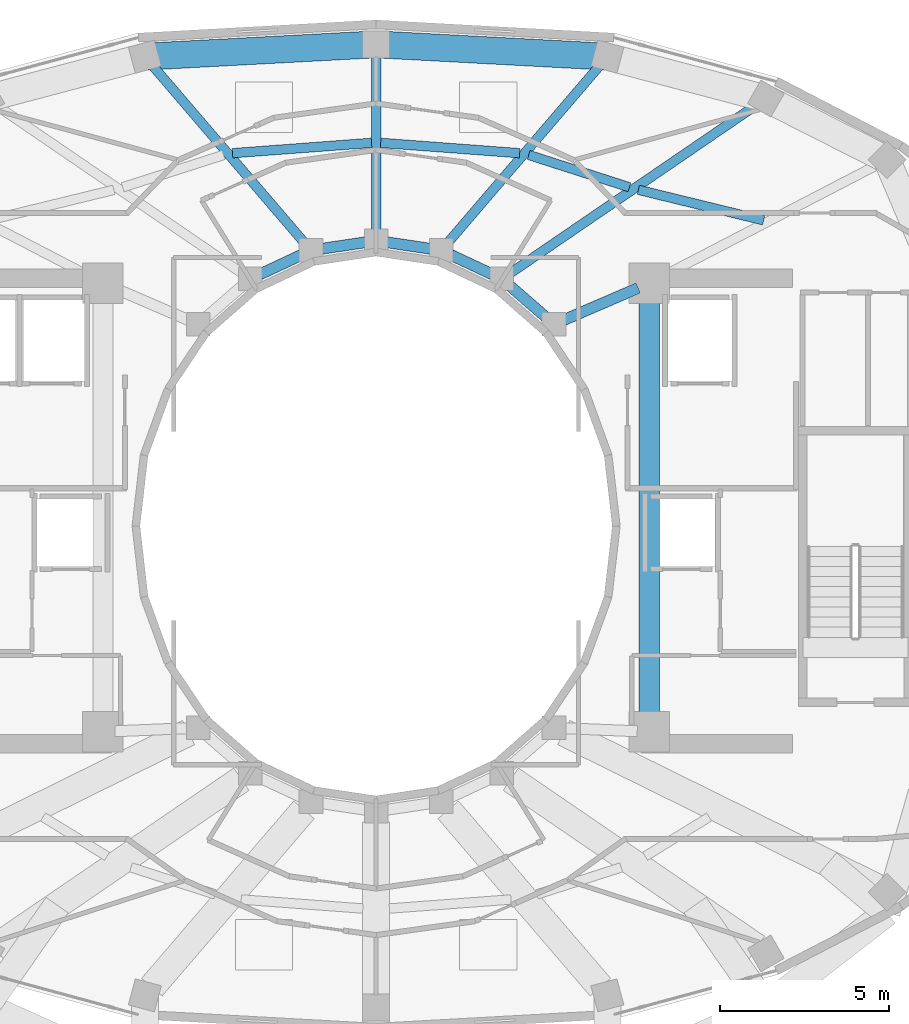
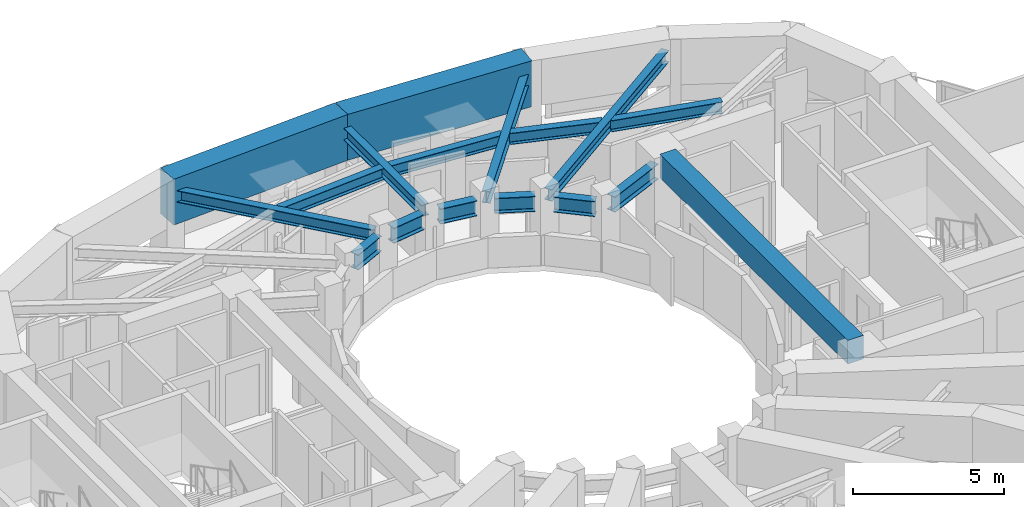
# One storey, part 7 of 19: 17 beams.
"""IFC4 building model written with IfcOpenShell, lengths in metres."""

from ifc_helpers import new_model, si_unit, direction, frame, origin, origin_2d, place, context, subcontext, project, spatial, rectangle, i_section, extrude, material, material_profile, profile_set, type_object, element, save


model = new_model("IFC4")

# Units and contexts
model_context = context("Model", 3, precision=1e-05, world=origin(), true_north=direction((0.0, 1.0)))
body_context = subcontext(model_context, "Body", "Model", "MODEL_VIEW")
ifc_project = project(units=[si_unit("LENGTHUNIT", "METRE"), si_unit("AREAUNIT", "SQUARE_METRE"), si_unit("VOLUMEUNIT", "CUBIC_METRE"), si_unit("PLANEANGLEUNIT", "RADIAN"), si_unit("MASSUNIT", "GRAM", prefix="KILO")], contexts=[model_context])

# Site, building, storey
site_placement = place(None, origin())
site = spatial("IfcSite", under=ifc_project, at=site_placement, CompositionType="ELEMENT")
building_placement = place(site_placement, origin())
building = spatial("IfcBuilding", under=site, at=building_placement, Name="Solvane Sanctuary Tower", CompositionType="ELEMENT")
storey_placement = place(building_placement, frame((0.0, 0.0, 207.800048828125)))
storey = spatial("IfcBuildingStorey", under=building, at=storey_placement, Name="L63", CompositionType="ELEMENT", Elevation=207.800048828125)

# Beams
ifc_material_1 = material(Name="Concrete C70/85", Category="concrete")
ifc_material_profile_1 = material_profile(ifc_material_1, rectangle(XDim=0.60009765625, YDim=0.949951171875, at=origin_2d()), Name="RC600X950")
ifc_profile_set_1 = profile_set([ifc_material_profile_1], Name="Concrete C70/85")
beam_type_1 = type_object("IfcBeamType", Name="Beam B-COUPLE RC600X950", PredefinedType="LINTEL", material=ifc_profile_set_1)
beam_1_placement = place(storey_placement, frame((40.10009765625, 17.35009765625, 2.625), z_axis=(0.0, 1.0, 0.0), x_axis=(-1.0, 0.0, 0.0)))
element("IfcBeam", 1, at=beam_1_placement, inside=storey, type_object=beam_type_1, Name="L63 East Core Coupling Lintel", PredefinedType="LINTEL", context=body_context, shape_type="SweptSolid", body=[
    extrude(rectangle(XDim=0.60009765625, YDim=0.949951171875, at=origin_2d()), origin(), (0.0, 0.0, 1.0), 12.39990234375),
])
ifc_material_2 = material(Name="Steel ASTM A992 Grade 50", Category="steel")
ifc_material_profile_2 = material_profile(ifc_material_2, i_section(OverallWidth=0.282958984375, OverallDepth=0.471923828125, WebThickness=0.013671875, FlangeThickness=0.022216796875, FilletRadius=0.013916015625, at=origin_2d()), Name="W18X97")
ifc_profile_set_2 = profile_set([ifc_material_profile_2], Name="Steel ASTM A992 Grade 50")
beam_type_2 = type_object("IfcBeamType", Name="Beam B-RAD-Z4 W18X97", PredefinedType="JOIST", material=ifc_profile_set_2)
beam_2_placement = place(storey_placement, frame((35.961181640625, 30.484619140625, 2.362060546875), z_axis=(0.825707980649, 0.564097802418, 0.0), x_axis=(-0.564097802418, 0.825707980649, 0.0)))
element("IfcBeam", 2, at=beam_2_placement, inside=storey, type_object=beam_type_2, Name="L63 Radial Composite Floor Beam 02", PredefinedType="JOIST", context=body_context, shape_type="SweptSolid", body=[
    extrude(i_section(OverallWidth=0.282958984375, OverallDepth=0.471923828125, WebThickness=0.013671875, FlangeThickness=0.022216796875, FilletRadius=0.013916015625, at=origin_2d()), origin(), (0.0, 0.0, 1.0), 8.9169921875),
])
beam_3_placement = place(storey_placement, frame((34.113037109375, 31.38427734375, 2.362060546875), z_axis=(0.651023809724, 0.759057309544, 0.0), x_axis=(-0.759057309544, 0.651023809724, 0.0)))
element("IfcBeam", 3, at=beam_3_placement, inside=storey, type_object=beam_type_2, Name="L63 Radial Composite Floor Beam 03", PredefinedType="JOIST", context=body_context, shape_type="SweptSolid", body=[
    extrude(i_section(OverallWidth=0.282958984375, OverallDepth=0.471923828125, WebThickness=0.013671875, FlangeThickness=0.022216796875, FilletRadius=0.013916015625, at=origin_2d()), origin(), (0.0, 0.0, 1.0), 7.005615234375),
])
beam_4_placement = place(storey_placement, frame((32.0, 31.739990234375, 2.362060546875), z_axis=(0.0, 1.0, 0.0), x_axis=(-1.0, 0.0, 0.0)))
element("IfcBeam", 4, at=beam_4_placement, inside=storey, type_object=beam_type_2, Name="L63 Radial Composite Floor Beam 04", PredefinedType="JOIST", context=body_context, shape_type="SweptSolid", body=[
    extrude(i_section(OverallWidth=0.282958984375, OverallDepth=0.471923828125, WebThickness=0.013671875, FlangeThickness=0.022216796875, FilletRadius=0.013916015625, at=origin_2d()), origin(), (0.0, 0.0, 1.0), 5.260009765625),
])
beam_5_placement = place(storey_placement, frame((29.886962890625, 31.38427734375, 2.362060546875), z_axis=(-0.651023809724, 0.759057309544, 0.0), x_axis=(-0.759057309544, -0.651023809724, 0.0)))
element("IfcBeam", 5, at=beam_5_placement, inside=storey, type_object=beam_type_2, Name="L63 Radial Composite Floor Beam 05", PredefinedType="JOIST", context=body_context, shape_type="SweptSolid", body=[
    extrude(i_section(OverallWidth=0.282958984375, OverallDepth=0.471923828125, WebThickness=0.013671875, FlangeThickness=0.022216796875, FilletRadius=0.013916015625, at=origin_2d()), origin(), (0.0, 0.0, 1.0), 7.005615234375),
])
ifc_material_profile_3 = material_profile(ifc_material_2, i_section(OverallWidth=0.324951171875, OverallDepth=0.615966796875, WebThickness=0.013916015625, FlangeThickness=0.021484375, FilletRadius=0.01611328125, at=origin_2d()), Name="W24X117")
ifc_profile_set_3 = profile_set([ifc_material_profile_3], Name="Steel ASTM A992 Grade 50")
beam_type_3 = type_object("IfcBeamType", Name="Beam B-RING-IN2 W24X117", PredefinedType="BEAM", material=ifc_profile_set_3)
beam_6_placement = place(storey_placement, frame((28.5595703125, 30.462646484375, 2.2900390625), z_axis=(0.905134542189, 0.425125229241, 0.0), x_axis=(-0.425125229241, 0.905134542189, 0.0)))
element("IfcBeam", 6, at=beam_6_placement, inside=storey, type_object=beam_type_3, Name="L63 Inner Light-Well Ring Beam IC06-IC05", PredefinedType="BEAM", context=body_context, shape_type="SweptSolid", body=[
    extrude(i_section(OverallWidth=0.324951171875, OverallDepth=0.615966796875, WebThickness=0.013916015625, FlangeThickness=0.021484375, FilletRadius=0.01611328125, at=origin_2d()), origin(), (0.0, 0.0, 1.0), 1.347900390625),
])
for number, where, z_axis, x_axis, name in (
    (7, (30.3857421875, 31.218994140625, 2.2900390625), (0.989056121481, 0.147539786368, 0.0), (-0.147539786368, 0.989056121481, 0.0), "L63 Inner Light-Well Ring Beam IC05-IC04"),
    (8, (32.31640625, 31.41259765625, 2.2900390625), (0.989056121481, -0.147539786368, 0.0), (0.147539786368, 0.989056121481, 0.0), "L63 Inner Light-Well Ring Beam IC04-IC03"),
):
    element("IfcBeam", number, at=place(storey_placement, frame(where, z_axis=z_axis, x_axis=x_axis)), inside=storey, type_object=beam_type_3, Name=name, PredefinedType="BEAM", context=body_context, shape_type="SweptSolid", body=[
        extrude(i_section(OverallWidth=0.324951171875, OverallDepth=0.615966796875, WebThickness=0.013916015625, FlangeThickness=0.021484375, FilletRadius=0.01611328125, at=origin_2d()), origin(), (0.0, 0.0, 1.0), 1.312255859375),
    ])
beam_7_placement = place(storey_placement, frame((34.220458984375, 31.03564453125, 2.2900390625), z_axis=(0.905134542189, -0.425125229241, 0.0), x_axis=(0.425125229241, 0.905134542189, 0.0)))
element("IfcBeam", 9, at=beam_7_placement, inside=storey, type_object=beam_type_3, Name="L63 Inner Light-Well Ring Beam IC03-IC02", PredefinedType="BEAM", context=body_context, shape_type="SweptSolid", body=[
    extrude(i_section(OverallWidth=0.324951171875, OverallDepth=0.615966796875, WebThickness=0.013916015625, FlangeThickness=0.021484375, FilletRadius=0.01611328125, at=origin_2d()), origin(), (0.0, 0.0, 1.0), 1.347900390625),
])
beam_8_placement = place(storey_placement, frame((35.971435546875, 30.116455078125, 2.2900390625), z_axis=(0.754388985763, -0.656427648839, 0.0), x_axis=(0.656427648839, 0.754388985763, 0.0)))
element("IfcBeam", 10, at=beam_8_placement, inside=storey, type_object=beam_type_3, Name="L63 Inner Light-Well Ring Beam IC02-IC01", PredefinedType="BEAM", context=body_context, shape_type="SweptSolid", body=[
    extrude(i_section(OverallWidth=0.324951171875, OverallDepth=0.615966796875, WebThickness=0.013916015625, FlangeThickness=0.021484375, FilletRadius=0.01611328125, at=origin_2d()), origin(), (0.0, 0.0, 1.0), 1.408203125),
])
beam_9_placement = place(storey_placement, frame((37.56884765625, 29.10888671875, 2.2900390625), z_axis=(0.918283854026, 0.395922673554, 0.0), x_axis=(-0.395922673554, 0.918283854026, 0.0)))
element("IfcBeam", 11, at=beam_9_placement, inside=storey, type_object=beam_type_3, Name="L63 Inner Light-Well Ring Beam IC01-CE4", PredefinedType="BEAM", context=body_context, shape_type="SweptSolid", body=[
    extrude(i_section(OverallWidth=0.324951171875, OverallDepth=0.615966796875, WebThickness=0.013916015625, FlangeThickness=0.021484375, FilletRadius=0.01611328125, at=origin_2d()), origin(), (0.0, 0.0, 1.0), 2.396240234375),
])
ifc_material_profile_4 = material_profile(ifc_material_2, i_section(OverallWidth=0.280029296875, OverallDepth=0.462890625, WebThickness=0.0107421875, FlangeThickness=0.017333984375, FilletRadius=0.013916015625, at=origin_2d()), Name="W18X76")
ifc_profile_set_4 = profile_set([ifc_material_profile_4], Name="Steel ASTM A992 Grade 50")
beam_type_4 = type_object("IfcBeamType", Name="Beam B-SEC-JOIST W18X76", PredefinedType="JOIST", material=ifc_profile_set_4)
for number, where, z_axis, x_axis, name in (
    (12, (27.74267578125, 34.052978515625, 2.366455078125), (0.997239150169, 0.074256833823, 0.0), (-0.074256833823, 0.997239150169, 0.0), "L63 Secondary Circumferential Joist 05-04"),
    (13, (32.135986328125, 34.35986328125, 2.366455078125), (0.997239150169, -0.074256833823, 0.0), (0.074256833823, 0.997239150169, 0.0), "L63 Secondary Circumferential Joist 04-03"),
):
    element("IfcBeam", number, at=place(storey_placement, frame(where, z_axis=z_axis, x_axis=x_axis)), inside=storey, type_object=beam_type_4, Name=name, PredefinedType="JOIST", context=body_context, shape_type="SweptSolid", body=[
        extrude(i_section(OverallWidth=0.280029296875, OverallDepth=0.462890625, WebThickness=0.0107421875, FlangeThickness=0.017333984375, FilletRadius=0.013916015625, at=origin_2d()), origin(), (0.0, 0.0, 1.0), 4.1328125),
    ])
beam_10_placement = place(storey_placement, frame((36.5234375, 34.001220703125, 2.366455078125), z_axis=(0.952124803756, -0.305709597612, 0.0), x_axis=(0.305709597612, 0.952124803756, 0.0)))
element("IfcBeam", 14, at=beam_10_placement, inside=storey, type_object=beam_type_4, Name="L63 Secondary Circumferential Joist 03-02", PredefinedType="JOIST", context=body_context, shape_type="SweptSolid", body=[
    extrude(i_section(OverallWidth=0.280029296875, OverallDepth=0.462890625, WebThickness=0.0107421875, FlangeThickness=0.017333984375, FilletRadius=0.013916015625, at=origin_2d()), origin(), (0.0, 0.0, 1.0), 3.139404296875),
])
beam_11_placement = place(storey_placement, frame((39.775146484375, 32.96728515625, 2.366455078125), z_axis=(0.971494163165, -0.237063474489, 0.0), x_axis=(0.237063474489, 0.971494163165, 0.0)))
element("IfcBeam", 15, at=beam_11_placement, inside=storey, type_object=beam_type_4, Name="L63 Secondary Circumferential Joist 02-01", PredefinedType="JOIST", context=body_context, shape_type="SweptSolid", body=[
    extrude(i_section(OverallWidth=0.280029296875, OverallDepth=0.462890625, WebThickness=0.0107421875, FlangeThickness=0.017333984375, FilletRadius=0.013916015625, at=origin_2d()), origin(), (0.0, 0.0, 1.0), 3.82373046875),
])
ifc_material_profile_5 = material_profile(ifc_material_1, rectangle(XDim=0.800048828125, YDim=1.85009765625, at=origin_2d()), Name="RC800X1850")
ifc_profile_set_5 = profile_set([ifc_material_profile_5], Name="Concrete C70/85")
beam_type_5 = type_object("IfcBeamType", Name="Beam B-XFER-BLK RC800X1850", PredefinedType="BEAM", material=ifc_profile_set_5)
for number, where, z_axis, x_axis, name in (
    (16, (25.143798828125, 36.914306640625, 2.175048828125), (0.998580350788, 0.053266152672, 0.0), (-0.053266152672, 0.998580350788, 0.0), "L63 Perimeter Step Transfer Ring NTC05-NTC04"),
    (17, (32.0, 37.280029296875, 2.175048828125), (0.998580350788, -0.053266152672, 0.0), (0.053266152672, 0.998580350788, 0.0), "L63 Perimeter Step Transfer Ring NTC04-NTC03"),
):
    element("IfcBeam", number, at=place(storey_placement, frame(where, z_axis=z_axis, x_axis=x_axis)), inside=storey, type_object=beam_type_5, Name=name, PredefinedType="BEAM", context=body_context, shape_type="SweptSolid", body=[
        extrude(rectangle(XDim=0.800048828125, YDim=1.85009765625, at=origin_2d()), origin(), (0.0, 0.0, 1.0), 6.865966796875),
    ])

save(model, "model.ifc")
